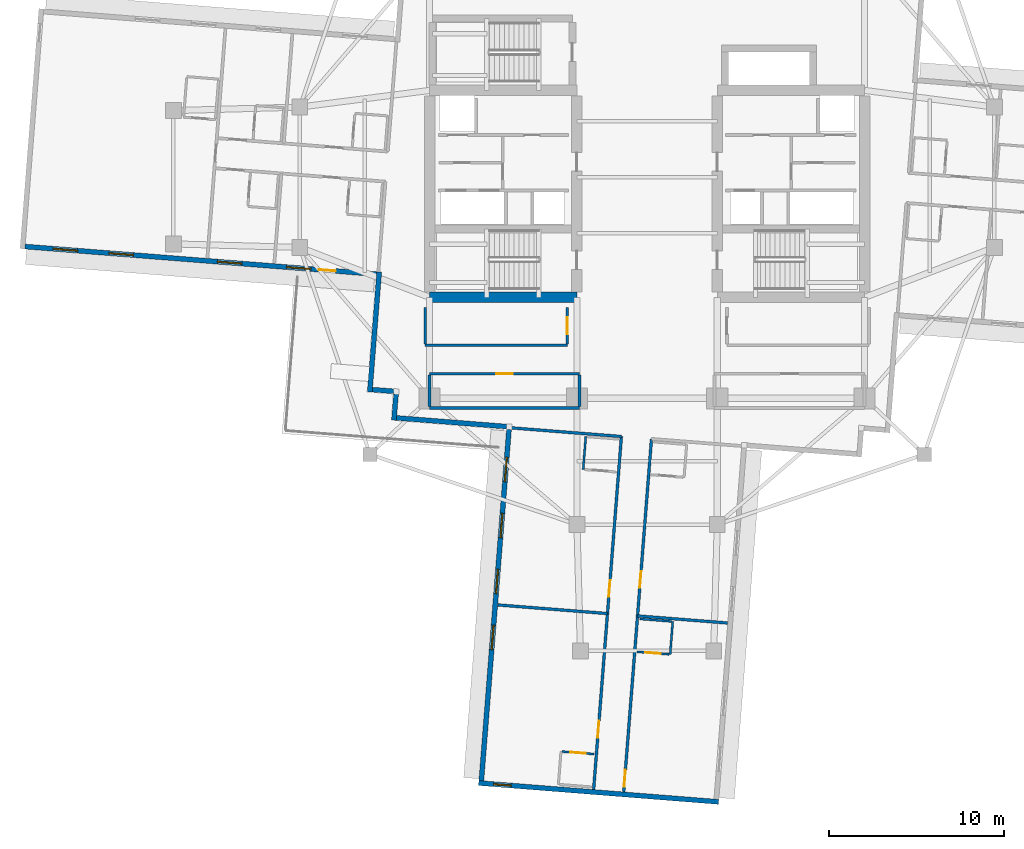
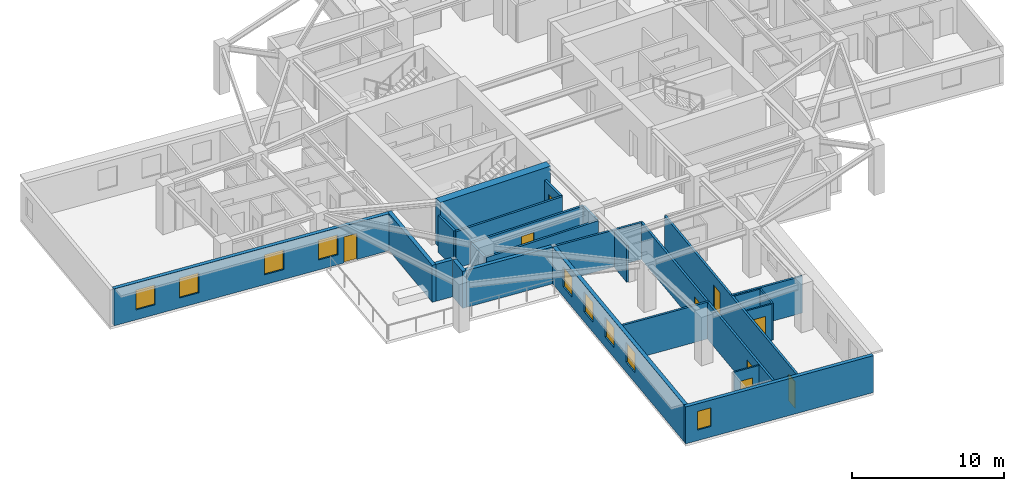
# One storey, part 3 of 14: 25 walls, 9 doors, 9 windows, 18 openings.
"""IFC4 building model written with IfcOpenShell, lengths in metres."""

from ifc_helpers import new_model, si_unit, direction, frame, frame_2d, origin, place, context, subcontext, project, spatial, rectangle, extrude, material, layer, layer_set, type_object, element, fill, save


model = new_model("IFC4")

# Units and contexts
model_context = context("Model", 3, precision=1e-05, world=origin(), true_north=direction((0.0, 1.0)))
body_context = subcontext(model_context, "Body", "Model", "MODEL_VIEW")
ifc_project = project(units=[si_unit("LENGTHUNIT", "METRE"), si_unit("AREAUNIT", "SQUARE_METRE"), si_unit("VOLUMEUNIT", "CUBIC_METRE"), si_unit("PLANEANGLEUNIT", "RADIAN"), si_unit("MASSUNIT", "GRAM", prefix="KILO")], contexts=[model_context])

# Site, building, storey
site_placement = place(None, origin())
site = spatial("IfcSite", under=ifc_project, at=site_placement, CompositionType="ELEMENT")
building_placement = place(site_placement, origin())
building = spatial("IfcBuilding", under=site, at=building_placement, Name="Qingluan Cross Belvedere", CompositionType="ELEMENT")
storey_placement = place(building_placement, frame((0.0, 0.0, 164.39990234375)))
storey = spatial("IfcBuildingStorey", under=building, at=storey_placement, Name="L41", CompositionType="ELEMENT", Elevation=164.39990234375)

# Walls
ifc_material_1 = material(Name="Concrete C60", Category="concrete")
ifc_layer_1 = layer(ifc_material_1, 0.60009765625, Name="CoreShearWall_600")
ifc_layer_set_1 = layer_set([ifc_layer_1], Name="Concrete C60")
wall_type_1 = type_object("IfcWallType", Name="CoreShearWall_600", PredefinedType="SHEAR", material=ifc_layer_set_1)
wall_1_placement = place(storey_placement, frame((-12.39990234375, -6.85009765625, 0.0), z_axis=(0.0, 0.0, 1.0), x_axis=(1.0, 0.0, 0.0)))
element("IfcWall", 1, at=wall_1_placement, inside=storey, type_object=wall_type_1, Name="Split core W shear wall L41-S", PredefinedType="SHEAR", context=body_context, shape_type="SweptSolid", body=[
    extrude(rectangle(XDim=8.39990234375, YDim=0.60009765625, at=frame_2d((4.199951171875, 0.0))), origin(), (0.0, 0.0, 1.0), 3.7001953125),
])
ifc_material_2 = material(Name="Gypsum plasterboard on steel stud acoustic partition", Category="steel")
ifc_layer_2 = layer(ifc_material_2, 0.159912109375, Name="CorridorPartition_160")
ifc_layer_set_2 = layer_set([ifc_layer_2], Name="Gypsum plasterboard on steel stud acoustic partition")
wall_type_2 = type_object("IfcWallType", Name="CorridorPartition_160", PredefinedType="PARTITIONING", material=ifc_layer_set_2)
wall_2_placement = place(storey_placement, frame((-12.39990234375, -13.14990234375, 0.0), z_axis=(0.0, 0.0, 1.0), x_axis=(1.0, 0.0, 0.0)))
element("IfcWall", 2, at=wall_2_placement, inside=storey, type_object=wall_type_2, Name="Partition L41:q_sw:S", PredefinedType="PARTITIONING", context=body_context, shape_type="SweptSolid", body=[
    extrude(rectangle(XDim=8.5498046875, YDim=0.159912109375, at=frame_2d((4.27490234375, 0.0))), origin(), (0.0, 0.0, 1.0), 2.960205078125),
])

# Wall, opening, door
wall_3_placement = place(storey_placement, frame((-12.39990234375, -11.199951171875, 0.0), z_axis=(0.0, 0.0, 1.0), x_axis=(1.0, 0.0, 0.0)))
wall_3 = element("IfcWall", 3, at=wall_3_placement, inside=storey, type_object=wall_type_2, Name="Partition L41:q_sw:N", PredefinedType="PARTITIONING", context=body_context, shape_type="SweptSolid", body=[
    extrude(rectangle(XDim=8.5498046875, YDim=0.159912109375, at=frame_2d((4.27490234375, 0.0))), origin(), (0.0, 0.0, 1.0), 2.960205078125),
])
opening_1_placement = place(wall_3_placement, frame((3.794921875, 0.0, 0.0)))
opening_1 = element("IfcOpeningElement", 4, at=opening_1_placement, cuts=wall_3, Name="Opening GD-10", PredefinedType="OPENING", context=body_context, shape_type="SweptSolid", body=[
    extrude(rectangle(XDim=0.9599609375, YDim=2.14990234375, at=frame_2d((0.47998046875, 1.074951171875))), frame((0.0, 0.08984375, 0.0), z_axis=(0.0, -1.0, 0.0), x_axis=(1.0, 0.0, 0.0)), (0.0, 0.0, 1.0), 0.179931640625),
])
ifc_material_3 = material(Name="Timber oak fire-rated acoustic guestroom door", Category="wood")
door_type_1 = type_object("IfcDoorType", Name="GuestEntryDoor_FD60", OperationType="NOTDEFINED", PredefinedType="DOOR", material=ifc_material_3)
door_1_placement = place(opening_1_placement, origin())
door_1 = element("IfcDoor", 5, at=door_1_placement, inside=storey, type_object=door_type_1, Name="Scholarly study salon L41 door", OperationType="SINGLE_SWING_RIGHT", OverallHeight=2.14990234375, OverallWidth=0.9599609375, PredefinedType="DOOR", context=body_context, shape_type="SweptSolid", body=[
    extrude(rectangle(XDim=0.9599609375, YDim=2.14990234375, at=frame_2d((0.47998046875, 1.074951171875))), frame((0.0, 0.02490234375, 0.0), z_axis=(0.0, -1.0, 0.0), x_axis=(1.0, 0.0, 0.0)), (0.0, 0.0, 1.0), 0.050048828125),
])
fill(opening_1, door_1)

# Walls
for number, where, z_axis, x_axis, name in (
    (6, (-12.39990234375, -13.06494140625, 0.0), (0.0, 0.0, 1.0), (0.0, 1.0, 0.0), "Partition L41:q_sw:W"),
    (7, (-3.85009765625, -13.06494140625, 0.0), (0.0, 0.0, 1.0), (0.0, 1.0, 0.0), "Partition L41:q_sw:E"),
):
    element("IfcWall", number, at=place(storey_placement, frame(where, z_axis=z_axis, x_axis=x_axis)), inside=storey, type_object=wall_type_2, Name=name, PredefinedType="PARTITIONING", context=body_context, shape_type="SweptSolid", body=[
        extrude(rectangle(XDim=1.780029296875, YDim=0.159912109375, at=frame_2d((0.89013671875, 0.0))), origin(), (0.0, 0.0, 1.0), 2.960205078125),
    ])
wall_4_placement = place(storey_placement, frame((-12.64990234375, -9.580078125, 0.0), z_axis=(0.0, 0.0, 1.0), x_axis=(1.0, 0.0, 0.0)))
element("IfcWall", 8, at=wall_4_placement, inside=storey, type_object=wall_type_2, Name="Partition L41:rec_st4_w:S", PredefinedType="PARTITIONING", context=body_context, shape_type="SweptSolid", body=[
    extrude(rectangle(XDim=8.099853515625, YDim=0.159912109375, at=frame_2d((4.0498046875, 0.0))), origin(), (0.0, 0.0, 1.0), 2.960205078125),
])
wall_5_placement = place(storey_placement, frame((-12.64990234375, -9.4951171875, 0.0), z_axis=(0.0, 0.0, 1.0), x_axis=(0.0, 1.0, 0.0)))
element("IfcWall", 9, at=wall_5_placement, inside=storey, type_object=wall_type_2, Name="Partition L41:rec_st4_w:W", PredefinedType="PARTITIONING", context=body_context, shape_type="SweptSolid", body=[
    extrude(rectangle(XDim=2.06005859375, YDim=0.159912109375, at=frame_2d((1.030029296875, 0.0))), origin(), (0.0, 0.0, 1.0), 2.960205078125),
])

# Wall, opening, door
wall_6_placement = place(storey_placement, frame((-4.550048828125, -9.4951171875, 0.0), z_axis=(0.0, 0.0, 1.0), x_axis=(0.0, 1.0, 0.0)))
wall_6 = element("IfcWall", 10, at=wall_6_placement, inside=storey, type_object=wall_type_2, Name="Partition L41:rec_st4_w:E", PredefinedType="PARTITIONING", context=body_context, shape_type="SweptSolid", body=[
    extrude(rectangle(XDim=2.06005859375, YDim=0.159912109375, at=frame_2d((1.030029296875, 0.0))), origin(), (0.0, 0.0, 1.0), 2.960205078125),
])
opening_2_placement = place(wall_6_placement, frame((0.550048828125, 0.0, 0.0)))
opening_2 = element("IfcOpeningElement", 11, at=opening_2_placement, cuts=wall_6, Name="Opening GD-10", PredefinedType="OPENING", context=body_context, shape_type="SweptSolid", body=[
    extrude(rectangle(XDim=0.9599609375, YDim=2.14990234375, at=frame_2d((0.47998046875, 1.074951171875))), frame((0.0, 0.08984375, 0.0), z_axis=(0.0, -1.0, 0.0), x_axis=(1.0, 0.0, 0.0)), (0.0, 0.0, 1.0), 0.179931640625),
])
door_2_placement = place(opening_2_placement, origin())
door_2 = element("IfcDoor", 12, at=door_2_placement, inside=storey, type_object=door_type_1, Name="Southwest club reading room L41 door", OperationType="SINGLE_SWING_LEFT", OverallHeight=2.14990234375, OverallWidth=0.9599609375, PredefinedType="DOOR", context=body_context, shape_type="SweptSolid", body=[
    extrude(rectangle(XDim=0.9599609375, YDim=2.14990234375, at=frame_2d((0.47998046875, 1.074951171875))), frame((0.0, 0.02490234375, 0.0), z_axis=(0.0, -1.0, 0.0), x_axis=(1.0, 0.0, 0.0)), (0.0, 0.0, 1.0), 0.050048828125),
])
fill(opening_2, door_2)

# Wall, openings, doors
wall_7_placement = place(storey_placement, frame((0.25048828125, -14.91552734375, 0.0), z_axis=(0.0, 0.0, 1.0), x_axis=(-0.078460461943, -0.996917226209, 0.0)))
wall_7 = element("IfcWall", 13, at=wall_7_placement, inside=storey, type_object=wall_type_2, Name="Partition L41:S:c0", PredefinedType="PARTITIONING", context=body_context, shape_type="SweptSolid", body=[
    extrude(rectangle(XDim=20.18212890625, YDim=0.159912109375, at=frame_2d((10.091064453125, 0.0))), origin(), (0.0, 0.0, 1.0), 2.960205078125),
])
opening_3_placement = place(wall_7_placement, frame((7.55908203125, 0.0, 0.0)))
opening_3 = element("IfcOpeningElement", 14, at=opening_3_placement, cuts=wall_7, Name="Opening GD-10", PredefinedType="OPENING", context=body_context, shape_type="SweptSolid", body=[
    extrude(rectangle(XDim=0.9599609375, YDim=2.14990234375, at=frame_2d((0.47998046875, 1.074951171875))), frame((0.0, 0.08984375, 0.0), z_axis=(0.0, -1.0, 0.0), x_axis=(1.0, 0.0, 0.0)), (0.0, 0.0, 1.0), 0.179931640625),
])
opening_4_placement = place(wall_7_placement, frame((18.929931640625, 0.0, 0.0)))
opening_4 = element("IfcOpeningElement", 15, at=opening_4_placement, cuts=wall_7, Name="Opening GD-10", PredefinedType="OPENING", context=body_context, shape_type="SweptSolid", body=[
    extrude(rectangle(XDim=0.9599609375, YDim=2.14990234375, at=frame_2d((0.47998046875, 1.074951171875))), frame((0.0, 0.08984375, 0.0), z_axis=(0.0, -1.0, 0.0), x_axis=(1.0, 0.0, 0.0)), (0.0, 0.0, 1.0), 0.179931640625),
])
door_3_placement = place(opening_3_placement, origin())
door_3 = element("IfcDoor", 16, at=door_3_placement, inside=storey, type_object=door_type_1, Name="Guest entry fire door 4117", OperationType="SINGLE_SWING_RIGHT", OverallHeight=2.14990234375, OverallWidth=0.9599609375, PredefinedType="DOOR", context=body_context, shape_type="SweptSolid", body=[
    extrude(rectangle(XDim=0.9599609375, YDim=2.14990234375, at=frame_2d((0.47998046875, 1.074951171875))), frame((0.0, 0.02490234375, 0.0), z_axis=(0.0, -1.0, 0.0), x_axis=(1.0, 0.0, 0.0)), (0.0, 0.0, 1.0), 0.050048828125),
])
fill(opening_3, door_3)
door_4_placement = place(opening_4_placement, origin())
door_4 = element("IfcDoor", 17, at=door_4_placement, inside=storey, type_object=door_type_1, Name="Guest entry fire door 4118", OperationType="SINGLE_SWING_RIGHT", OverallHeight=2.14990234375, OverallWidth=0.9599609375, PredefinedType="DOOR", context=body_context, shape_type="SweptSolid", body=[
    extrude(rectangle(XDim=0.9599609375, YDim=2.14990234375, at=frame_2d((0.47998046875, 1.074951171875))), frame((0.0, 0.02490234375, 0.0), z_axis=(0.0, -1.0, 0.0), x_axis=(1.0, 0.0, 0.0)), (0.0, 0.0, 1.0), 0.050048828125),
])
fill(opening_4, door_4)

# Wall
wall_8_placement = place(storey_placement, frame((-0.543701171875, -25.00830078125, 0.0), z_axis=(0.0, 0.0, 1.0), x_axis=(0.99691602815, -0.078475682969, 0.0)))
element("IfcWall", 18, at=wall_8_placement, inside=storey, type_object=wall_type_2, Name="Partition L41:S:d0_0", PredefinedType="PARTITIONING", context=body_context, shape_type="SweptSolid", body=[
    extrude(rectangle(XDim=5.15185546875, YDim=0.159912109375, at=frame_2d((2.575927734375, 0.0))), origin(), (0.0, 0.0, 1.0), 2.960205078125),
])

# Wall, openings, doors
wall_9_placement = place(storey_placement, frame((-1.464111328125, -14.78076171875, 0.0), z_axis=(0.0, 0.0, 1.0), x_axis=(-0.078461408156, -0.996917151738, 0.0)))
wall_9 = element("IfcWall", 19, at=wall_9_placement, inside=storey, type_object=wall_type_2, Name="Partition L41:S:c1", PredefinedType="PARTITIONING", context=body_context, shape_type="SweptSolid", body=[
    extrude(rectangle(XDim=20.181884765625, YDim=0.159912109375, at=frame_2d((10.0908203125, 0.0))), origin(), (0.0, 0.0, 1.0), 2.960205078125),
])
opening_5_placement = place(wall_9_placement, frame((8.2119140625, 0.0, 0.0)))
opening_5 = element("IfcOpeningElement", 20, at=opening_5_placement, cuts=wall_9, Name="Opening GD-10", PredefinedType="OPENING", context=body_context, shape_type="SweptSolid", body=[
    extrude(rectangle(XDim=0.9599609375, YDim=2.14990234375, at=frame_2d((0.47998046875, 1.074951171875))), frame((0.0, 0.08984375, 0.0), z_axis=(0.0, -1.0, 0.0), x_axis=(1.0, 0.0, 0.0)), (0.0, 0.0, 1.0), 0.179931640625),
])
opening_6_placement = place(wall_9_placement, frame((16.260986328125, 0.0, 0.0)))
opening_6 = element("IfcOpeningElement", 21, at=opening_6_placement, cuts=wall_9, Name="Opening GD-10", PredefinedType="OPENING", context=body_context, shape_type="SweptSolid", body=[
    extrude(rectangle(XDim=0.9599609375, YDim=2.14990234375, at=frame_2d((0.47998046875, 1.074951171875))), frame((0.0, 0.08984375, 0.0), z_axis=(0.0, -1.0, 0.0), x_axis=(1.0, 0.0, 0.0)), (0.0, 0.0, 1.0), 0.179931640625),
])
door_5_placement = place(opening_5_placement, origin())
door_5 = element("IfcDoor", 22, at=door_5_placement, inside=storey, type_object=door_type_1, Name="Guest entry fire door 4119", OperationType="SINGLE_SWING_RIGHT", OverallHeight=2.14990234375, OverallWidth=0.9599609375, PredefinedType="DOOR", context=body_context, shape_type="SweptSolid", body=[
    extrude(rectangle(XDim=0.9599609375, YDim=2.14990234375, at=frame_2d((0.47998046875, 1.074951171875))), frame((0.0, 0.02490234375, 0.0), z_axis=(0.0, -1.0, 0.0), x_axis=(1.0, 0.0, 0.0)), (0.0, 0.0, 1.0), 0.050048828125),
])
fill(opening_5, door_5)
door_6_placement = place(opening_6_placement, origin())
door_6 = element("IfcDoor", 23, at=door_6_placement, inside=storey, type_object=door_type_1, Name="Guest entry fire door 4120", OperationType="SINGLE_SWING_RIGHT", OverallHeight=2.14990234375, OverallWidth=0.9599609375, PredefinedType="DOOR", context=body_context, shape_type="SweptSolid", body=[
    extrude(rectangle(XDim=0.9599609375, YDim=2.14990234375, at=frame_2d((0.47998046875, 1.074951171875))), frame((0.0, 0.02490234375, 0.0), z_axis=(0.0, -1.0, 0.0), x_axis=(1.0, 0.0, 0.0)), (0.0, 0.0, 1.0), 0.050048828125),
])
fill(opening_6, door_6)

# Walls
wall_10_placement = place(storey_placement, frame((-1.464111328125, -14.78076171875, 0.0), z_axis=(0.0, 0.0, 1.0), x_axis=(-0.996918059277, 0.07844987627, 0.0)))
element("IfcWall", 24, at=wall_10_placement, inside=storey, type_object=wall_type_2, Name="Partition L41:S:s1", PredefinedType="PARTITIONING", context=body_context, shape_type="SweptSolid", body=[
    extrude(rectangle(XDim=6.420166015625, YDim=0.159912109375, at=frame_2d((3.2099609375, 0.0))), origin(), (0.0, 0.0, 1.0), 2.960205078125),
])
wall_11_placement = place(storey_placement, frame((-2.258544921875, -24.87353515625, 0.0), z_axis=(0.0, 0.0, 1.0), x_axis=(-0.996916205331, 0.078473432117, 0.0)))
element("IfcWall", 25, at=wall_11_placement, inside=storey, type_object=wall_type_2, Name="Partition L41:S:d1_0", PredefinedType="PARTITIONING", context=body_context, shape_type="SweptSolid", body=[
    extrude(rectangle(XDim=6.27197265625, YDim=0.159912109375, at=frame_2d((3.135986328125, 0.0))), origin(), (0.0, 0.0, 1.0), 2.960205078125),
])

# Wall, opening, door
ifc_material_4 = material(Name="Moisture-resistant gypsum board lining")
ifc_layer_3 = layer(ifc_material_4, 0.1201171875, Name="EnsuiteWetPartition_120")
ifc_layer_set_3 = layer_set([ifc_layer_3], Name="Moisture-resistant gypsum board lining")
wall_type_3 = type_object("IfcWallType", Name="EnsuiteWetPartition_120", PredefinedType="PARTITIONING", material=ifc_layer_set_3)
wall_12_placement = place(storey_placement, frame((-0.564208984375, -27.052978515625, 0.0), z_axis=(0.0, 0.0, 1.0), x_axis=(0.996915574626, -0.078481444107, 0.0)))
wall_12 = element("IfcWall", 26, at=wall_12_placement, inside=storey, type_object=wall_type_3, Name="Partition L41:S:bs0_1", PredefinedType="PARTITIONING", context=body_context, shape_type="SweptSolid", body=[
    extrude(rectangle(XDim=1.81982421875, YDim=0.1201171875, at=frame_2d((0.909912109375, 0.0))), origin(), (0.0, 0.0, 1.0), 2.960205078125),
])
opening_7_placement = place(wall_12_placement, frame((0.469970703125, 0.0, 0.0)))
opening_7 = element("IfcOpeningElement", 27, at=opening_7_placement, cuts=wall_12, Name="Opening BD-09", PredefinedType="OPENING", context=body_context, shape_type="SweptSolid", body=[
    extrude(rectangle(XDim=0.8798828125, YDim=2.10009765625, at=frame_2d((0.43994140625, 1.050048828125))), frame((0.0, 0.070068359375, 0.0), z_axis=(0.0, -1.0, 0.0), x_axis=(1.0, 0.0, 0.0)), (0.0, 0.0, 1.0), 0.14013671875),
])
ifc_material_5 = material(Name="Moisture-sealed timber en-suite door", Category="wood")
door_type_2 = type_object("IfcDoorType", Name="BathroomDoor_880", OperationType="NOTDEFINED", PredefinedType="DOOR", material=ifc_material_5)
door_7_placement = place(opening_7_placement, origin())
door_7 = element("IfcDoor", 28, at=door_7_placement, inside=storey, type_object=door_type_2, Name="Bathroom door 4118", OperationType="SINGLE_SWING_LEFT", OverallHeight=2.10009765625, OverallWidth=0.8798828125, PredefinedType="DOOR", context=body_context, shape_type="SweptSolid", body=[
    extrude(rectangle(XDim=0.8798828125, YDim=2.10009765625, at=frame_2d((0.43994140625, 1.050048828125))), frame((0.0, 0.02490234375, 0.0), z_axis=(0.0, -1.0, 0.0), x_axis=(1.0, 0.0, 0.0)), (0.0, 0.0, 1.0), 0.050048828125),
])
fill(opening_7, door_7)

# Walls
wall_13_placement = place(storey_placement, frame((-0.416748046875, -25.178955078125, 0.0), z_axis=(0.0, 0.0, 1.0), x_axis=(0.996916400774, -0.0784709492, 0.0)))
element("IfcWall", 29, at=wall_13_placement, inside=storey, type_object=wall_type_3, Name="Partition L41:S:bw0_1", PredefinedType="PARTITIONING", context=body_context, shape_type="SweptSolid", body=[
    extrude(rectangle(XDim=1.820068359375, YDim=0.1201171875, at=frame_2d((0.91015625, 0.0))), origin(), (0.0, 0.0, 1.0), 2.960205078125),
])
wall_14_placement = place(storey_placement, frame((1.46240234375, -25.326904296875, 0.0), z_axis=(0.0, 0.0, 1.0), x_axis=(-0.078444342213, -0.99691849475, 0.0)))
element("IfcWall", 30, at=wall_14_placement, inside=storey, type_object=wall_type_3, Name="Partition L41:S:bn0_1", PredefinedType="PARTITIONING", context=body_context, shape_type="SweptSolid", body=[
    extrude(rectangle(XDim=1.8798828125, YDim=0.1201171875, at=frame_2d((0.93994140625, 0.0))), origin(), (0.0, 0.0, 1.0), 2.960205078125),
])
wall_15_placement = place(storey_placement, frame((-3.49560546875, -14.78125, 0.0), z_axis=(0.0, 0.0, 1.0), x_axis=(-0.07843418698, -0.996919293781, 0.0)))
element("IfcWall", 31, at=wall_15_placement, inside=storey, type_object=wall_type_3, Name="Partition L41:S:bc1_0", PredefinedType="PARTITIONING", context=body_context, shape_type="SweptSolid", body=[
    extrude(rectangle(XDim=1.880126953125, YDim=0.1201171875, at=frame_2d((0.93994140625, 0.0))), origin(), (0.0, 0.0, 1.0), 2.960205078125),
])

# Wall, opening, door
wall_16_placement = place(storey_placement, frame((-4.84375, -32.740966796875, 0.0), z_axis=(0.0, 0.0, 1.0), x_axis=(0.996916400774, -0.0784709492, 0.0)))
wall_16 = element("IfcWall", 32, at=wall_16_placement, inside=storey, type_object=wall_type_3, Name="Partition L41:S:bs1_1", PredefinedType="PARTITIONING", context=body_context, shape_type="SweptSolid", body=[
    extrude(rectangle(XDim=1.820068359375, YDim=0.1201171875, at=frame_2d((0.91015625, 0.0))), origin(), (0.0, 0.0, 1.0), 2.960205078125),
])
opening_8_placement = place(wall_16_placement, frame((0.469970703125, 0.0, 0.0)))
opening_8 = element("IfcOpeningElement", 33, at=opening_8_placement, cuts=wall_16, Name="Opening BD-09", PredefinedType="OPENING", context=body_context, shape_type="SweptSolid", body=[
    extrude(rectangle(XDim=0.8798828125, YDim=2.10009765625, at=frame_2d((0.43994140625, 1.050048828125))), frame((0.0, 0.070068359375, 0.0), z_axis=(0.0, -1.0, 0.0), x_axis=(1.0, 0.0, 0.0)), (0.0, 0.0, 1.0), 0.14013671875),
])
door_8_placement = place(opening_8_placement, origin())
door_8 = element("IfcDoor", 34, at=door_8_placement, inside=storey, type_object=door_type_2, Name="Bathroom door 4120", OperationType="SINGLE_SWING_LEFT", OverallHeight=2.10009765625, OverallWidth=0.8798828125, PredefinedType="DOOR", context=body_context, shape_type="SweptSolid", body=[
    extrude(rectangle(XDim=0.8798828125, YDim=2.10009765625, at=frame_2d((0.43994140625, 1.050048828125))), frame((0.0, 0.02490234375, 0.0), z_axis=(0.0, -1.0, 0.0), x_axis=(1.0, 0.0, 0.0)), (0.0, 0.0, 1.0), 0.050048828125),
])
fill(opening_8, door_8)

# Wall, openings, windows, door
ifc_material_6 = material(Name="Precast concrete C45", Category="concrete")
ifc_layer_4 = layer(ifc_material_6, 0.280029296875, Name="PrecastFacadeWall_280")
ifc_layer_set_4 = layer_set([ifc_layer_4], Name="Precast concrete C45")
wall_type_4 = type_object("IfcWallType", Name="PrecastFacadeWall_280", PredefinedType="STANDARD", material=ifc_layer_set_4)
wall_17_placement = place(storey_placement, frame((-35.459228515625, -3.9501953125, 0.0), z_axis=(0.0, 0.0, 1.0), x_axis=(0.996917828963, -0.078452802979, 0.0)))
wall_17 = element("IfcWall", 35, at=wall_17_placement, inside=storey, type_object=wall_type_4, Name="Facade wall L41-WB", PredefinedType="STANDARD", context=body_context, shape_type="SweptSolid", body=[
    extrude(rectangle(XDim=20.10009765625, YDim=0.280029296875, at=frame_2d((10.050048828125, 0.0))), origin(), (0.0, 0.0, 1.0), 2.97021484375),
])
opening_9_placement = place(wall_17_placement, frame((1.60009765625, 0.0, 0.800048828125)))
opening_9 = element("IfcOpeningElement", 36, at=opening_9_placement, cuts=wall_17, Name="Opening W-01", PredefinedType="OPENING", context=body_context, shape_type="SweptSolid", body=[
    extrude(rectangle(XDim=1.39990234375, YDim=1.60009765625, at=frame_2d((0.699951171875, 0.800048828125))), frame((0.0, 0.14990234375, 0.0), z_axis=(0.0, -1.0, 0.0), x_axis=(1.0, 0.0, 0.0)), (0.0, 0.0, 1.0), 0.300048828125),
])
opening_10_placement = place(wall_17_placement, frame((4.800048828125, 0.0, 0.800048828125)))
opening_10 = element("IfcOpeningElement", 37, at=opening_10_placement, cuts=wall_17, Name="Opening W-01", PredefinedType="OPENING", context=body_context, shape_type="SweptSolid", body=[
    extrude(rectangle(XDim=1.39990234375, YDim=1.60009765625, at=frame_2d((0.699951171875, 0.800048828125))), frame((0.0, 0.14990234375, 0.0), z_axis=(0.0, -1.0, 0.0), x_axis=(1.0, 0.0, 0.0)), (0.0, 0.0, 1.0), 0.300048828125),
])
opening_11_placement = place(wall_17_placement, frame((11.0, 0.0, 0.800048828125)))
opening_11 = element("IfcOpeningElement", 38, at=opening_11_placement, cuts=wall_17, Name="Opening W-01", PredefinedType="OPENING", context=body_context, shape_type="SweptSolid", body=[
    extrude(rectangle(XDim=1.39990234375, YDim=1.60009765625, at=frame_2d((0.699951171875, 0.800048828125))), frame((0.0, 0.14990234375, 0.0), z_axis=(0.0, -1.0, 0.0), x_axis=(1.0, 0.0, 0.0)), (0.0, 0.0, 1.0), 0.300048828125),
])
opening_12_placement = place(wall_17_placement, frame((14.949951171875, 0.0, 0.800048828125)))
opening_12 = element("IfcOpeningElement", 39, at=opening_12_placement, cuts=wall_17, Name="Opening W-01", PredefinedType="OPENING", context=body_context, shape_type="SweptSolid", body=[
    extrude(rectangle(XDim=1.39990234375, YDim=1.60009765625, at=frame_2d((0.699951171875, 0.800048828125))), frame((0.0, 0.14990234375, 0.0), z_axis=(0.0, -1.0, 0.0), x_axis=(1.0, 0.0, 0.0)), (0.0, 0.0, 1.0), 0.300048828125),
])
opening_13_placement = place(wall_17_placement, frame((16.800048828125, 0.0, 0.0)))
opening_13 = element("IfcOpeningElement", 40, at=opening_13_placement, cuts=wall_17, Name="Opening WD-10", PredefinedType="OPENING", context=body_context, shape_type="SweptSolid", body=[
    extrude(rectangle(XDim=0.9599609375, YDim=2.10009765625, at=frame_2d((0.47998046875, 1.050048828125))), frame((0.0, 0.14990234375, 0.0), z_axis=(0.0, -1.0, 0.0), x_axis=(1.0, 0.0, 0.0)), (0.0, 0.0, 1.0), 0.300048828125),
])
ifc_material_7 = material(Name="Thermally broken triple Low-E glass in aluminium frame", Category="aluminium")
window_type_1 = type_object("IfcWindowType", Name="TriRibbonWin_1400x1600", PartitioningType="SINGLE_PANEL", PredefinedType="WINDOW", material=ifc_material_7)
window_1_placement = place(opening_9_placement, origin())
window_1 = element("IfcWindow", 41, at=window_1_placement, inside=storey, type_object=window_type_1, Name="Ribbon window L41-WB-1", OverallHeight=1.60009765625, OverallWidth=1.39990234375, PartitioningType="SINGLE_PANEL", PredefinedType="WINDOW", context=body_context, shape_type="SweptSolid", body=[
    extrude(rectangle(XDim=1.39990234375, YDim=1.60009765625, at=frame_2d((0.699951171875, 0.800048828125))), frame((0.0, 0.030029296875, 0.0), z_axis=(0.0, -1.0, 0.0), x_axis=(1.0, 0.0, 0.0)), (0.0, 0.0, 1.0), 0.06005859375),
])
fill(opening_9, window_1)
window_2_placement = place(opening_10_placement, origin())
window_2 = element("IfcWindow", 42, at=window_2_placement, inside=storey, type_object=window_type_1, Name="Ribbon window L41-WB-2", OverallHeight=1.60009765625, OverallWidth=1.39990234375, PartitioningType="SINGLE_PANEL", PredefinedType="WINDOW", context=body_context, shape_type="SweptSolid", body=[
    extrude(rectangle(XDim=1.39990234375, YDim=1.60009765625, at=frame_2d((0.699951171875, 0.800048828125))), frame((0.0, 0.030029296875, 0.0), z_axis=(0.0, -1.0, 0.0), x_axis=(1.0, 0.0, 0.0)), (0.0, 0.0, 1.0), 0.06005859375),
])
fill(opening_10, window_2)
window_3_placement = place(opening_11_placement, origin())
window_3 = element("IfcWindow", 43, at=window_3_placement, inside=storey, type_object=window_type_1, Name="Ribbon window L41-WB-3", OverallHeight=1.60009765625, OverallWidth=1.39990234375, PartitioningType="SINGLE_PANEL", PredefinedType="WINDOW", context=body_context, shape_type="SweptSolid", body=[
    extrude(rectangle(XDim=1.39990234375, YDim=1.60009765625, at=frame_2d((0.699951171875, 0.800048828125))), frame((0.0, 0.030029296875, 0.0), z_axis=(0.0, -1.0, 0.0), x_axis=(1.0, 0.0, 0.0)), (0.0, 0.0, 1.0), 0.06005859375),
])
fill(opening_11, window_3)
window_4_placement = place(opening_12_placement, origin())
window_4 = element("IfcWindow", 44, at=window_4_placement, inside=storey, type_object=window_type_1, Name="Ribbon window L41-WB-4", OverallHeight=1.60009765625, OverallWidth=1.39990234375, PartitioningType="SINGLE_PANEL", PredefinedType="WINDOW", context=body_context, shape_type="SweptSolid", body=[
    extrude(rectangle(XDim=1.39990234375, YDim=1.60009765625, at=frame_2d((0.699951171875, 0.800048828125))), frame((0.0, 0.030029296875, 0.0), z_axis=(0.0, -1.0, 0.0), x_axis=(1.0, 0.0, 0.0)), (0.0, 0.0, 1.0), 0.06005859375),
])
fill(opening_12, window_4)
ifc_material_8 = material(Name="Thermally broken aluminium and Low-E glass", Category="aluminium")
door_type_3 = type_object("IfcDoorType", Name="WinterGardenDoor_096", OperationType="NOTDEFINED", PredefinedType="DOOR", material=ifc_material_8)
door_9_placement = place(opening_13_placement, origin())
door_9 = element("IfcDoor", 45, at=door_9_placement, inside=storey, type_object=door_type_3, Name="Outdoor terrace access door L41-spi", OperationType="SINGLE_SWING_RIGHT", OverallHeight=2.10009765625, OverallWidth=0.9599609375, PredefinedType="DOOR", context=body_context, shape_type="SweptSolid", body=[
    extrude(rectangle(XDim=0.9599609375, YDim=2.10009765625, at=frame_2d((0.47998046875, 1.050048828125))), frame((0.0, 0.02490234375, 0.0), z_axis=(0.0, -1.0, 0.0), x_axis=(1.0, 0.0, 0.0)), (0.0, 0.0, 1.0), 0.050048828125),
])
fill(opening_13, door_9)

# Wall, openings, windows
wall_18_placement = place(storey_placement, frame((-7.87158203125, -14.36669921875, 0.0), z_axis=(0.0, 0.0, 1.0), x_axis=(-0.078452802979, -0.996917828963, 0.0)))
wall_18 = element("IfcWall", 46, at=wall_18_placement, inside=storey, type_object=wall_type_4, Name="Facade wall L41-SA", PredefinedType="STANDARD", context=body_context, shape_type="SweptSolid", body=[
    extrude(rectangle(XDim=20.10009765625, YDim=0.280029296875, at=frame_2d((10.050048828125, 0.0))), origin(), (0.0, 0.0, 1.0), 2.97021484375),
])
opening_14_placement = place(wall_18_placement, frame((1.60009765625, 0.0, 0.800048828125)))
opening_14 = element("IfcOpeningElement", 47, at=opening_14_placement, cuts=wall_18, Name="Opening W-01", PredefinedType="OPENING", context=body_context, shape_type="SweptSolid", body=[
    extrude(rectangle(XDim=1.39990234375, YDim=1.60009765625, at=frame_2d((0.699951171875, 0.800048828125))), frame((0.0, 0.14990234375, 0.0), z_axis=(0.0, -1.0, 0.0), x_axis=(1.0, 0.0, 0.0)), (0.0, 0.0, 1.0), 0.300048828125),
])
opening_15_placement = place(wall_18_placement, frame((4.800048828125, 0.0, 0.800048828125)))
opening_15 = element("IfcOpeningElement", 48, at=opening_15_placement, cuts=wall_18, Name="Opening W-01", PredefinedType="OPENING", context=body_context, shape_type="SweptSolid", body=[
    extrude(rectangle(XDim=1.39990234375, YDim=1.60009765625, at=frame_2d((0.699951171875, 0.800048828125))), frame((0.0, 0.14990234375, 0.0), z_axis=(0.0, -1.0, 0.0), x_axis=(1.0, 0.0, 0.0)), (0.0, 0.0, 1.0), 0.300048828125),
])
opening_16_placement = place(wall_18_placement, frame((8.0, 0.0, 0.800048828125)))
opening_16 = element("IfcOpeningElement", 49, at=opening_16_placement, cuts=wall_18, Name="Opening W-01", PredefinedType="OPENING", context=body_context, shape_type="SweptSolid", body=[
    extrude(rectangle(XDim=1.39990234375, YDim=1.60009765625, at=frame_2d((0.699951171875, 0.800048828125))), frame((0.0, 0.14990234375, 0.0), z_axis=(0.0, -1.0, 0.0), x_axis=(1.0, 0.0, 0.0)), (0.0, 0.0, 1.0), 0.300048828125),
])
opening_17_placement = place(wall_18_placement, frame((11.199951171875, 0.0, 0.800048828125)))
opening_17 = element("IfcOpeningElement", 50, at=opening_17_placement, cuts=wall_18, Name="Opening W-01", PredefinedType="OPENING", context=body_context, shape_type="SweptSolid", body=[
    extrude(rectangle(XDim=1.39990234375, YDim=1.60009765625, at=frame_2d((0.699951171875, 0.800048828125))), frame((0.0, 0.14990234375, 0.0), z_axis=(0.0, -1.0, 0.0), x_axis=(1.0, 0.0, 0.0)), (0.0, 0.0, 1.0), 0.300048828125),
])
window_5_placement = place(opening_14_placement, origin())
window_5 = element("IfcWindow", 51, at=window_5_placement, inside=storey, type_object=window_type_1, Name="Ribbon window L41-SA-1", OverallHeight=1.60009765625, OverallWidth=1.39990234375, PartitioningType="SINGLE_PANEL", PredefinedType="WINDOW", context=body_context, shape_type="SweptSolid", body=[
    extrude(rectangle(XDim=1.39990234375, YDim=1.60009765625, at=frame_2d((0.699951171875, 0.800048828125))), frame((0.0, 0.030029296875, 0.0), z_axis=(0.0, -1.0, 0.0), x_axis=(1.0, 0.0, 0.0)), (0.0, 0.0, 1.0), 0.06005859375),
])
fill(opening_14, window_5)
window_6_placement = place(opening_15_placement, origin())
window_6 = element("IfcWindow", 52, at=window_6_placement, inside=storey, type_object=window_type_1, Name="Ribbon window L41-SA-2", OverallHeight=1.60009765625, OverallWidth=1.39990234375, PartitioningType="SINGLE_PANEL", PredefinedType="WINDOW", context=body_context, shape_type="SweptSolid", body=[
    extrude(rectangle(XDim=1.39990234375, YDim=1.60009765625, at=frame_2d((0.699951171875, 0.800048828125))), frame((0.0, 0.030029296875, 0.0), z_axis=(0.0, -1.0, 0.0), x_axis=(1.0, 0.0, 0.0)), (0.0, 0.0, 1.0), 0.06005859375),
])
fill(opening_15, window_6)
window_7_placement = place(opening_16_placement, origin())
window_7 = element("IfcWindow", 53, at=window_7_placement, inside=storey, type_object=window_type_1, Name="Ribbon window L41-SA-3", OverallHeight=1.60009765625, OverallWidth=1.39990234375, PartitioningType="SINGLE_PANEL", PredefinedType="WINDOW", context=body_context, shape_type="SweptSolid", body=[
    extrude(rectangle(XDim=1.39990234375, YDim=1.60009765625, at=frame_2d((0.699951171875, 0.800048828125))), frame((0.0, 0.030029296875, 0.0), z_axis=(0.0, -1.0, 0.0), x_axis=(1.0, 0.0, 0.0)), (0.0, 0.0, 1.0), 0.06005859375),
])
fill(opening_16, window_7)
window_8_placement = place(opening_17_placement, origin())
window_8 = element("IfcWindow", 54, at=window_8_placement, inside=storey, type_object=window_type_1, Name="Ribbon window L41-SA-4", OverallHeight=1.60009765625, OverallWidth=1.39990234375, PartitioningType="SINGLE_PANEL", PredefinedType="WINDOW", context=body_context, shape_type="SweptSolid", body=[
    extrude(rectangle(XDim=1.39990234375, YDim=1.60009765625, at=frame_2d((0.699951171875, 0.800048828125))), frame((0.0, 0.030029296875, 0.0), z_axis=(0.0, -1.0, 0.0), x_axis=(1.0, 0.0, 0.0)), (0.0, 0.0, 1.0), 0.06005859375),
])
fill(opening_17, window_8)

# Wall, opening, window
wall_19_placement = place(storey_placement, frame((-9.59912109375, -34.533203125, 0.0), z_axis=(0.0, 0.0, 1.0), x_axis=(0.996916198482, -0.078473519122, 0.0)))
wall_19 = element("IfcWall", 55, at=wall_19_placement, inside=storey, type_object=wall_type_4, Name="Arm tip precast facade wall L41-S", PredefinedType="STANDARD", context=body_context, shape_type="SweptSolid", body=[
    extrude(rectangle(XDim=13.719970703125, YDim=0.280029296875, at=frame_2d((6.85986328125, 0.0))), origin(), (0.0, 0.0, 1.0), 2.97021484375),
])
opening_18_placement = place(wall_19_placement, frame((0.85009765625, 0.0, 0.85009765625)))
opening_18 = element("IfcOpeningElement", 56, at=opening_18_placement, cuts=wall_19, Name="Opening W-03", PredefinedType="OPENING", context=body_context, shape_type="SweptSolid", body=[
    extrude(rectangle(XDim=1.0, YDim=1.5, at=frame_2d((0.5, 0.75))), frame((0.0, 0.14990234375, 0.0), z_axis=(0.0, -1.0, 0.0), x_axis=(1.0, 0.0, 0.0)), (0.0, 0.0, 1.0), 0.300048828125),
])
ifc_material_9 = material(Name="Thermally broken triple Low-E glass in aluminium frame", Category="aluminium")
window_type_2 = type_object("IfcWindowType", Name="TriApexWin_1000x1500", PartitioningType="SINGLE_PANEL", PredefinedType="WINDOW", material=ifc_material_9)
window_9_placement = place(opening_18_placement, origin())
window_9 = element("IfcWindow", 57, at=window_9_placement, inside=storey, type_object=window_type_2, Name="Arm tip triangular window L41-S", OverallHeight=1.5, OverallWidth=1.0, PartitioningType="SINGLE_PANEL", PredefinedType="WINDOW", context=body_context, shape_type="SweptSolid", body=[
    extrude(rectangle(XDim=1.0, YDim=1.5, at=frame_2d((0.5, 0.75))), frame((0.0, 0.030029296875, 0.0), z_axis=(0.0, -1.0, 0.0), x_axis=(1.0, 0.0, 0.0)), (0.0, 0.0, 1.0), 0.06005859375),
])
fill(opening_18, window_9)

# Walls
wall_20_placement = place(storey_placement, frame((-15.2705078125, -5.3984375, 0.0), z_axis=(0.0, 0.0, 1.0), x_axis=(-0.078473519122, -0.996916198482, 0.0)))
element("IfcWall", 58, at=wall_20_placement, inside=storey, type_object=wall_type_4, Name="Corner wall L41-SW1", PredefinedType="STANDARD", context=body_context, shape_type="SweptSolid", body=[
    extrude(rectangle(XDim=6.860107421875, YDim=0.280029296875, at=frame_2d((3.43017578125, 0.0))), origin(), (0.0, 0.0, 1.0), 2.97021484375),
])
wall_21_placement = place(storey_placement, frame((-15.658203125, -12.10888671875, 0.0), z_axis=(0.0, 0.0, 1.0), x_axis=(0.996917540398, -0.078456469752, 0.0)))
element("IfcWall", 59, at=wall_21_placement, inside=storey, type_object=wall_type_4, Name="Corner wall L41-SW2", PredefinedType="STANDARD", context=body_context, shape_type="SweptSolid", body=[
    extrude(rectangle(XDim=1.2197265625, YDim=0.280029296875, at=frame_2d((0.60986328125, 0.0))), origin(), (0.0, 0.0, 1.0), 2.97021484375),
])
wall_22_placement = place(storey_placement, frame((-14.3134765625, -12.35498046875, 0.0), z_axis=(0.0, 0.0, 1.0), x_axis=(-0.078451338629, -0.9969179442, 0.0)))
element("IfcWall", 60, at=wall_22_placement, inside=storey, type_object=wall_type_4, Name="Corner wall L41-SW3", PredefinedType="STANDARD", context=body_context, shape_type="SweptSolid", body=[
    extrude(rectangle(XDim=1.5, YDim=0.280029296875, at=frame_2d((0.75, 0.0))), origin(), (0.0, 0.0, 1.0), 2.97021484375),
])
wall_23_placement = place(storey_placement, frame((-14.280517578125, -13.721923828125, 0.0), z_axis=(0.0, 0.0, 1.0), x_axis=(0.99691915642, -0.078435932851, 0.0)))
element("IfcWall", 61, at=wall_23_placement, inside=storey, type_object=wall_type_4, Name="Corner wall L41-SW4", PredefinedType="STANDARD", context=body_context, shape_type="SweptSolid", body=[
    extrude(rectangle(XDim=6.2998046875, YDim=0.280029296875, at=frame_2d((3.14990234375, 0.0))), origin(), (0.0, 0.0, 1.0), 2.97021484375),
])

save(model, "model.ifc")
